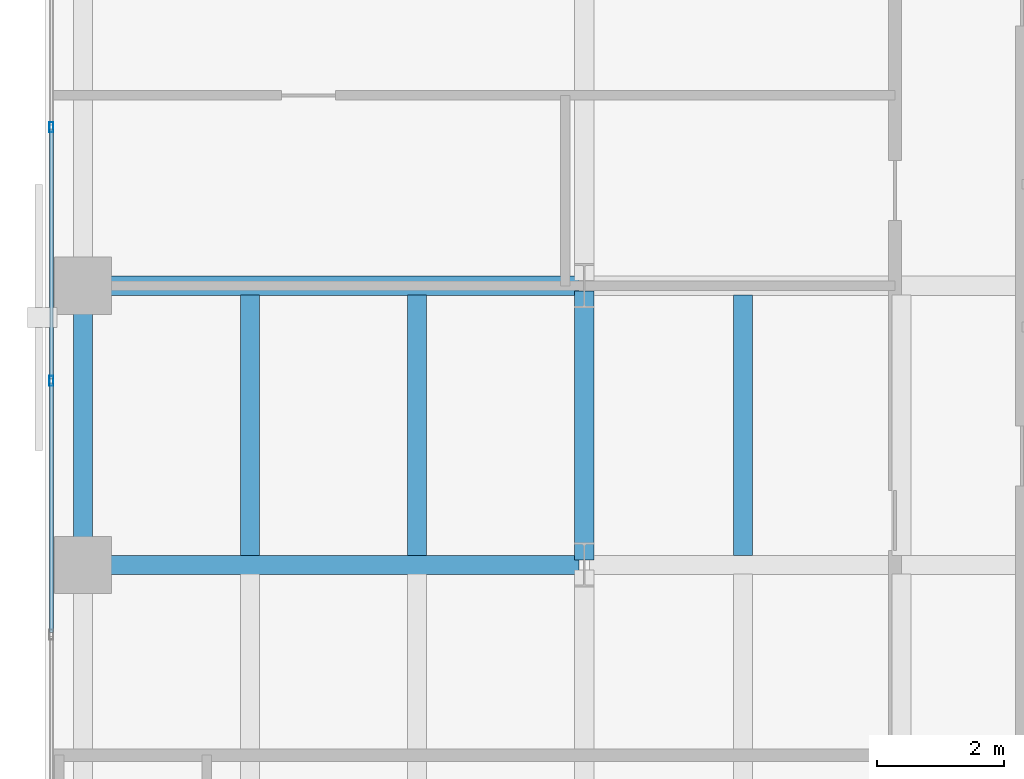
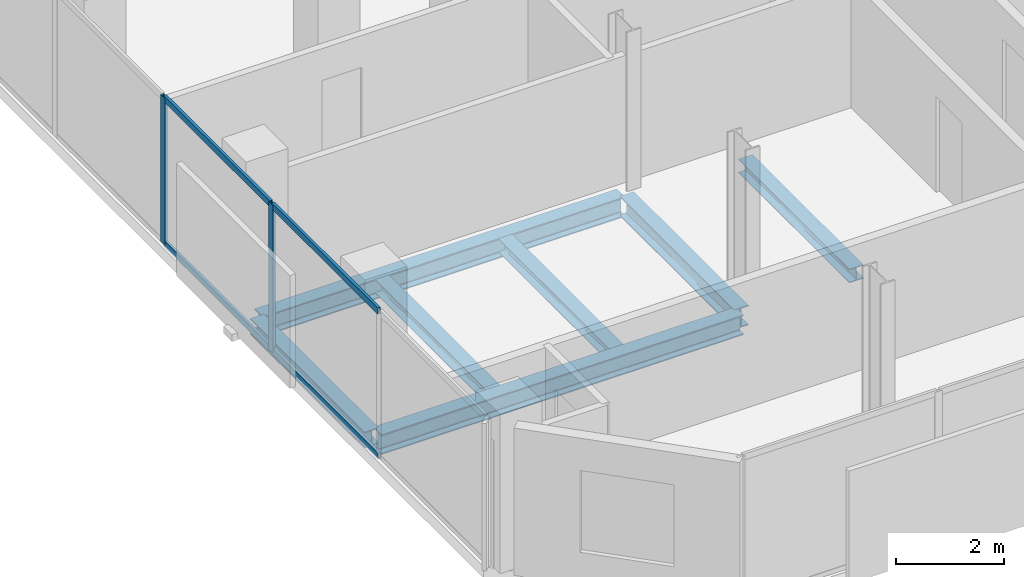
# One storey, part 5 of 33: 7 beams, 6 members, 1 element without a shape of its own.
"""IFC4 building model written with IfcOpenShell, lengths in metres."""

from ifc_helpers import new_model, si_unit, direction, frame, origin, origin_2d, place, context, subcontext, project, spatial, hollow_rectangle, i_section, extrude, material, layer, layer_set, material_profile, profile_set, type_object, element, aggregate, save


model = new_model("IFC4")

# Units and contexts
model_context = context("Model", 3, precision=1e-05, world=origin(), true_north=direction((0.0, 1.0)))
body_context = subcontext(model_context, "Body", "Model", "MODEL_VIEW")
ifc_project = project(units=[si_unit("LENGTHUNIT", "METRE"), si_unit("AREAUNIT", "SQUARE_METRE"), si_unit("VOLUMEUNIT", "CUBIC_METRE"), si_unit("PLANEANGLEUNIT", "RADIAN"), si_unit("MASSUNIT", "GRAM", prefix="KILO")], contexts=[model_context])

# Site, building, storey
site_placement = place(None, origin())
site = spatial("IfcSite", under=ifc_project, at=site_placement, CompositionType="ELEMENT")
building_placement = place(site_placement, origin())
building = spatial("IfcBuilding", under=site, at=building_placement, Name="Catumbela Crestline Tower", CompositionType="ELEMENT")
storey_placement = place(building_placement, frame((0.0, 0.0, 108.0)))
storey = spatial("IfcBuildingStorey", under=building, at=storey_placement, Name="L27", CompositionType="ELEMENT", Elevation=108.0)

# Beams
ifc_material_1 = material(Name="Structural steel S355J2", Category="steel")
ifc_material_profile_1 = material_profile(ifc_material_1, i_section(OverallWidth=0.3, OverallDepth=0.45, WebThickness=0.014, FlangeThickness=0.026, FilletRadius=0.027, at=origin_2d()), Name="HEB 450")
ifc_profile_set_1 = profile_set([ifc_material_profile_1], Name="Structural steel S355J2")
beam_type_1 = type_object("IfcBeamType", Name="BG-HEB450", PredefinedType="BEAM", material=ifc_profile_set_1)
for number, where, z_axis, x_axis, name in (
    (1, (0.68, 13.6, -0.485), (1.0, 0.0, 0.0), (0.0, 1.0, 0.0), "L27 Beam BM-L27-WEW46"),
    (2, (0.68, 18.0, -0.485), (1.0, 0.0, 0.0), (0.0, 1.0, 0.0), "L27 Beam BM-L27-WEW49"),
):
    element("IfcBeam", number, at=place(storey_placement, frame(where, z_axis=z_axis, x_axis=x_axis)), inside=storey, type_object=beam_type_1, Name=name, PredefinedType="BEAM", context=body_context, shape_type="SweptSolid", body=[
        extrude(i_section(OverallWidth=0.3, OverallDepth=0.45, WebThickness=0.014, FlangeThickness=0.026, FilletRadius=0.027, at=origin_2d()), origin(), (0.0, 0.0, 1.0), 7.74),
    ])
beam_1_placement = place(storey_placement, frame((8.5, 13.68, -0.485), z_axis=(0.0, 1.0, 0.0), x_axis=(-1.0, 0.0, 0.0)))
element("IfcBeam", 3, at=beam_1_placement, inside=storey, type_object=beam_type_1, Name="L27 Beam BM-L27-WNS56", PredefinedType="BEAM", context=body_context, shape_type="SweptSolid", body=[
    extrude(i_section(OverallWidth=0.3, OverallDepth=0.45, WebThickness=0.014, FlangeThickness=0.026, FilletRadius=0.027, at=origin_2d()), origin(), (0.0, 0.0, 1.0), 4.24),
])
ifc_material_profile_2 = material_profile(ifc_material_1, i_section(OverallWidth=0.3, OverallDepth=0.31, WebThickness=0.009, FlangeThickness=0.0155, FilletRadius=0.027, at=origin_2d()), Name="HEA 320")
ifc_profile_set_2 = profile_set([ifc_material_profile_2], Name="Structural steel S355J2")
beam_type_2 = type_object("IfcBeamType", Name="BJ-HEA320", PredefinedType="JOIST", material=ifc_profile_set_2)
for number, where, z_axis, x_axis, name in (
    (4, (3.233, 13.747, -0.415), (0.0, 1.0, 0.0), (-1.0, 0.0, 0.0), "L27 Joist JS-L27-WG69"),
    (5, (5.867, 13.747, -0.415), (0.0, 1.0, 0.0), (-1.0, 0.0, 0.0), "L27 Joist JS-L27-WG70"),
    (6, (11.0, 13.747, -0.415), (0.0, 1.0, 0.0), (-1.0, 0.0, 0.0), "L27 Joist JS-L27-WG71"),
):
    element("IfcBeam", number, at=place(storey_placement, frame(where, z_axis=z_axis, x_axis=x_axis)), inside=storey, type_object=beam_type_2, Name=name, PredefinedType="JOIST", context=body_context, shape_type="SweptSolid", body=[
        extrude(i_section(OverallWidth=0.3, OverallDepth=0.31, WebThickness=0.009, FlangeThickness=0.0155, FilletRadius=0.027, at=origin_2d()), origin(), (0.0, 0.0, 1.0), 4.106),
    ])

# Curtain wall, members
ifc_material_2 = material(Name="Aluminium alloy AW-6060-T66", Category="aluminium")
ifc_layer = layer(ifc_material_2, 0.18, Name="Aluminium alloy AW-6060-T66")
ifc_layer_set = layer_set([ifc_layer], Name="Aluminium alloy AW-6060-T66")
curtain_wall_type = type_object("IfcCurtainWallType", Name="CWU-Z2", PredefinedType="USERDEFINED", material=ifc_layer_set)
curtain_wall_placement = place(storey_placement, origin())
curtain_wall = element("IfcCurtainWall", 7, at=curtain_wall_placement, inside=storey, type_object=curtain_wall_type, Name="L27 Unitised Curtain Wall CW-L27-E9S1", ObjectType="UNITISED", PredefinedType="USERDEFINED")
ifc_material_profile_3 = material_profile(ifc_material_2, hollow_rectangle(XDim=0.06, YDim=0.16, WallThickness=0.004, at=origin_2d()), Name="ALU 160x60x4")
ifc_profile_set_3 = profile_set([ifc_material_profile_3], Name="Aluminium alloy AW-6060-T66")
member_type_1 = type_object("IfcMemberType", Name="MUL-160X60", PredefinedType="MULLION", material=ifc_profile_set_3)
member_1_placement = place(storey_placement, frame((0.1, 20.5, 0.0), z_axis=(0.0, 0.0, 1.0), x_axis=(1.0, 0.0, 0.0)))
member_1 = element("IfcMember", 8, at=member_1_placement, type_object=member_type_1, Name="CWU-Z2 mullion 7", PredefinedType="MULLION", context=body_context, shape_type="SweptSolid", body=[
    extrude(hollow_rectangle(XDim=0.06, YDim=0.16, WallThickness=0.004, at=origin_2d()), origin(), (0.0, 0.0, 1.0), 3.33),
])
member_2_placement = place(storey_placement, frame((0.1, 16.5, 0.0), z_axis=(0.0, 0.0, 1.0), x_axis=(1.0, 0.0, 0.0)))
member_2 = element("IfcMember", 9, at=member_2_placement, type_object=member_type_1, Name="CWU-Z2 mullion 8", PredefinedType="MULLION", context=body_context, shape_type="SweptSolid", body=[
    extrude(hollow_rectangle(XDim=0.06, YDim=0.16, WallThickness=0.004, at=origin_2d()), origin(), (0.0, 0.0, 1.0), 3.33),
])

# Beam
ifc_material_profile_4 = material_profile(ifc_material_1, i_section(OverallWidth=0.3, OverallDepth=0.36, WebThickness=0.0125, FlangeThickness=0.0225, FilletRadius=0.027, at=origin_2d()), Name="HEB 360")
ifc_profile_set_4 = profile_set([ifc_material_profile_4], Name="Structural steel S355J2")
beam_type_3 = type_object("IfcBeamType", Name="BS-HEB360", PredefinedType="SPANDREL", material=ifc_profile_set_4)
beam_2_placement = place(storey_placement, frame((0.6, 13.68, -0.44), z_axis=(0.0, 1.0, 0.0), x_axis=(-1.0, 0.0, 0.0)))
element("IfcBeam", 10, at=beam_2_placement, inside=storey, type_object=beam_type_3, Name="L27 Spandrel SP-L27-WNS53", PredefinedType="SPANDREL", context=body_context, shape_type="SweptSolid", body=[
    extrude(i_section(OverallWidth=0.3, OverallDepth=0.36, WebThickness=0.0125, FlangeThickness=0.0225, FilletRadius=0.027, at=origin_2d()), origin(), (0.0, 0.0, 1.0), 4.24),
])

# Member
ifc_material_profile_5 = material_profile(ifc_material_2, hollow_rectangle(XDim=0.06, YDim=0.14, WallThickness=0.004, at=origin_2d()), Name="ALU 140x60x4")
ifc_profile_set_5 = profile_set([ifc_material_profile_5], Name="Aluminium alloy AW-6060-T66")
member_type_2 = type_object("IfcMemberType", Name="TRN-140X60", PredefinedType="USERDEFINED", material=ifc_profile_set_5)
member_3_placement = place(storey_placement, frame((0.1, 20.4675, 0.03), z_axis=(0.0, -1.0, 0.0), x_axis=(1.0, 0.0, 0.0)))
member_3 = element("IfcMember", 11, at=member_3_placement, type_object=member_type_2, Name="CWU-Z2 transom 7.1", ObjectType="TRANSOM", PredefinedType="USERDEFINED", context=body_context, shape_type="SweptSolid", body=[
    extrude(hollow_rectangle(XDim=0.06, YDim=0.14, WallThickness=0.004, at=origin_2d()), origin(), (0.0, 0.0, 1.0), 3.935),
])

member_4_placement = place(storey_placement, frame((0.1, 20.4675, 3.3), z_axis=(0.0, -1.0, 0.0), x_axis=(1.0, 0.0, 0.0)))
member_4 = element("IfcMember", 12, at=member_4_placement, type_object=member_type_2, Name="CWU-Z2 transom 7.2", ObjectType="TRANSOM", PredefinedType="USERDEFINED", context=body_context, shape_type="SweptSolid", body=[
    extrude(hollow_rectangle(XDim=0.06, YDim=0.14, WallThickness=0.004, at=origin_2d()), origin(), (0.0, 0.0, 1.0), 3.935),
])

member_5_placement = place(storey_placement, frame((0.1, 16.4675, 0.03), z_axis=(0.0, -1.0, 0.0), x_axis=(1.0, 0.0, 0.0)))
member_5 = element("IfcMember", 13, at=member_5_placement, type_object=member_type_2, Name="CWU-Z2 transom 8.1", ObjectType="TRANSOM", PredefinedType="USERDEFINED", context=body_context, shape_type="SweptSolid", body=[
    extrude(hollow_rectangle(XDim=0.06, YDim=0.14, WallThickness=0.004, at=origin_2d()), origin(), (0.0, 0.0, 1.0), 3.935),
])

member_6_placement = place(storey_placement, frame((0.1, 16.4675, 3.3), z_axis=(0.0, -1.0, 0.0), x_axis=(1.0, 0.0, 0.0)))
member_6 = element("IfcMember", 14, at=member_6_placement, type_object=member_type_2, Name="CWU-Z2 transom 8.2", ObjectType="TRANSOM", PredefinedType="USERDEFINED", context=body_context, shape_type="SweptSolid", body=[
    extrude(hollow_rectangle(XDim=0.06, YDim=0.14, WallThickness=0.004, at=origin_2d()), origin(), (0.0, 0.0, 1.0), 3.935),
])

aggregate(curtain_wall, [member_1, member_2, member_3, member_4, member_5, member_6])

save(model, "model.ifc")
